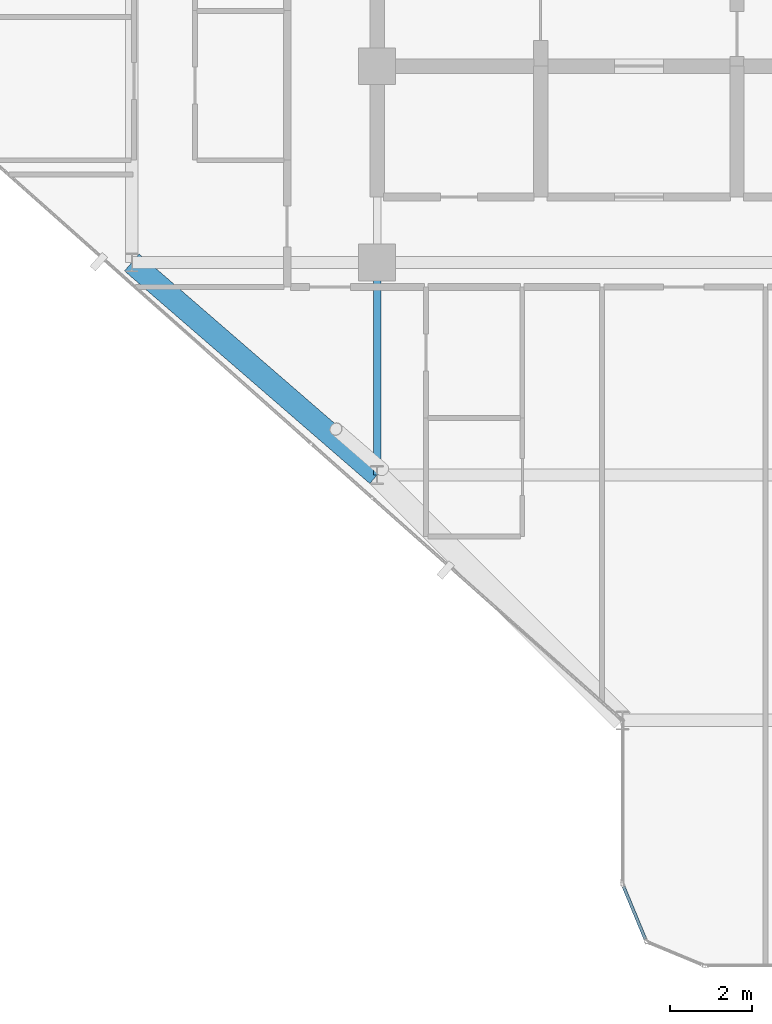
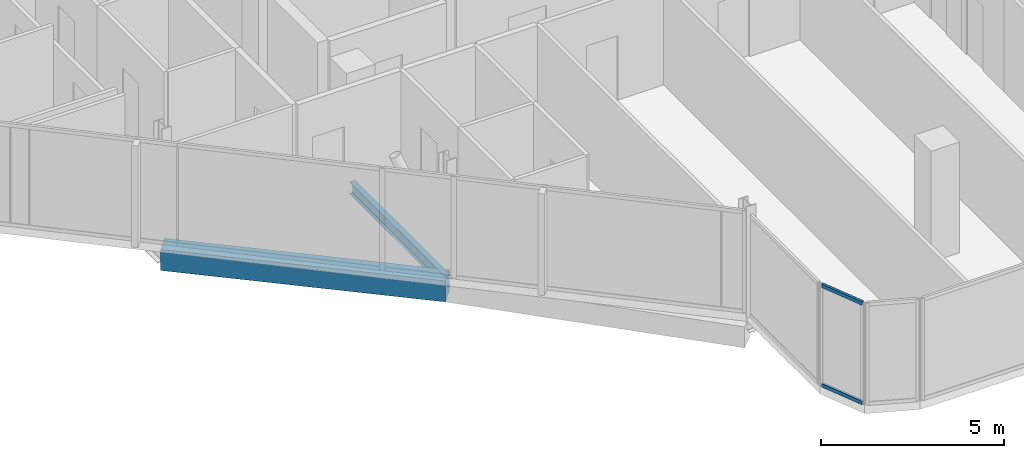
# One storey, part 5 of 29: 2 beams, 2 members, 1 element without a shape of its own.
"""IFC4 building model written with IfcOpenShell, lengths in metres."""

from ifc_helpers import new_model, si_unit, direction, frame, origin, origin_2d, place, context, subcontext, project, spatial, rectangle, hollow_rectangle, i_section, extrude, material, layer, layer_set, material_profile, profile_set, type_object, element, aggregate, save


model = new_model("IFC4")

# Units and contexts
model_context = context("Model", 3, precision=1e-05, world=origin(), true_north=direction((0.0, 1.0)))
body_context = subcontext(model_context, "Body", "Model", "MODEL_VIEW")
ifc_project = project(units=[si_unit("LENGTHUNIT", "METRE"), si_unit("AREAUNIT", "SQUARE_METRE"), si_unit("VOLUMEUNIT", "CUBIC_METRE"), si_unit("PLANEANGLEUNIT", "RADIAN"), si_unit("MASSUNIT", "GRAM", prefix="KILO")], contexts=[model_context])

# Site, building, storey
site_placement = place(None, origin())
site = spatial("IfcSite", under=ifc_project, at=site_placement, CompositionType="ELEMENT")
building_placement = place(site_placement, origin())
building = spatial("IfcBuilding", under=site, at=building_placement, Name="Keshet Zoharim Tower", CompositionType="ELEMENT")
storey_placement = place(building_placement, frame((0.0, 0.0, 195.800048828125)))
storey = spatial("IfcBuildingStorey", under=building, at=storey_placement, Name="L48", CompositionType="ELEMENT", Elevation=195.800048828125)

# Beams
ifc_material_1 = material(Name="Steel S355", Category="steel")
ifc_material_profile_1 = material_profile(ifc_material_1, i_section(OverallWidth=0.179931640625, OverallDepth=0.39990234375, WebThickness=0.008544921875, FlangeThickness=0.013427734375, FilletRadius=0.02099609375, at=origin_2d()), Name="IPE400")
ifc_profile_set_1 = profile_set([ifc_material_profile_1], Name="Steel S355")
beam_type_1 = type_object("IfcBeamType", Name="BM-PRI-IP400", PredefinedType="BEAM", material=ifc_profile_set_1)
beam_1_placement = place(storey_placement, frame((15.0, 12.699951171875, -0.510009765625), z_axis=(0.0, 1.0, 0.0), x_axis=(-1.0, 0.0, 0.0)))
element("IfcBeam", 1, at=beam_1_placement, inside=storey, type_object=beam_type_1, Name="L48 Primary Girder Y-002", PredefinedType="BEAM", context=body_context, shape_type="SweptSolid", body=[
    extrude(i_section(OverallWidth=0.179931640625, OverallDepth=0.39990234375, WebThickness=0.008544921875, FlangeThickness=0.013427734375, FilletRadius=0.02099609375, at=origin_2d()), origin(), (0.0, 0.0, 1.0), 5.199951171875),
])
ifc_material_2 = material(Name="Concrete C50/60", Category="concrete")
ifc_material_profile_2 = material_profile(ifc_material_2, rectangle(XDim=0.550048828125, YDim=0.699951171875, at=origin_2d()), Name="RC700x550")
ifc_profile_set_2 = profile_set([ifc_material_profile_2], Name="Concrete C50/60")
beam_type_2 = type_object("IfcBeamType", Name="BM-SPN-700", PredefinedType="SPANDREL", material=ifc_profile_set_2)
beam_2_placement = place(storey_placement, frame((9.0, 17.89990234375, -0.66015625), z_axis=(0.755692126483, -0.654927026447, 0.0), x_axis=(0.654927026447, 0.755692126483, 0.0)))
element("IfcBeam", 2, at=beam_2_placement, inside=storey, type_object=beam_type_2, Name="L48 Perimeter Spandrel Beam 02", PredefinedType="SPANDREL", context=body_context, shape_type="SweptSolid", body=[
    extrude(rectangle(XDim=0.550048828125, YDim=0.699951171875, at=origin_2d()), origin(), (0.0, 0.0, 1.0), 7.939697265625),
])

# Curtain wall, members
ifc_material_3 = material(Name="Aluminium 6063-T6", Category="aluminium")
ifc_layer = layer(ifc_material_3, 0.139892578125)
ifc_layer_set = layer_set([ifc_layer], Name="Aluminium 6063-T6")
curtain_wall_type = type_object("IfcCurtainWallType", Name="CW-SYS-05", PredefinedType="NOTDEFINED", material=ifc_layer_set)
curtain_wall_placement = place(storey_placement, origin())
curtain_wall = element("IfcCurtainWall", 3, at=curtain_wall_placement, inside=storey, type_object=curtain_wall_type, Name="L48 Unitised Curtain Wall 08", PredefinedType="NOTDEFINED")
ifc_material_profile_3 = material_profile(ifc_material_3, hollow_rectangle(XDim=0.074951171875, YDim=0.1201171875, WallThickness=0.00390625, at=origin_2d()), Name="TRN-75x120")
ifc_profile_set_3 = profile_set([ifc_material_profile_3], Name="Aluminium 6063-T6")
member_type = type_object("IfcMemberType", Name="CWT-T12", PredefinedType="USERDEFINED", material=ifc_profile_set_3)
member_1_placement = place(storey_placement, frame((21.55908203125, 1.3505859375, 0.034912109375), z_axis=(-0.382744609247, 0.923854189844, 0.0), x_axis=(-0.923854189844, -0.382744609247, 0.0)))
member_1 = element("IfcMember", 4, at=member_1_placement, type_object=member_type, Name="CW-05 transom 1.1", ObjectType="TRANSOM", PredefinedType="USERDEFINED", context=body_context, shape_type="SweptSolid", body=[
    extrude(hollow_rectangle(XDim=0.074951171875, YDim=0.1201171875, WallThickness=0.00390625, at=origin_2d()), origin(), (0.0, 0.0, 1.0), 1.390625),
])
member_2_placement = place(storey_placement, frame((21.55908203125, 1.3505859375, 3.35498046875), z_axis=(-0.382744609247, 0.923854189844, 0.0), x_axis=(-0.923854189844, -0.382744609247, 0.0)))
member_2 = element("IfcMember", 5, at=member_2_placement, type_object=member_type, Name="CW-05 transom 1.2", ObjectType="TRANSOM", PredefinedType="USERDEFINED", context=body_context, shape_type="SweptSolid", body=[
    extrude(hollow_rectangle(XDim=0.074951171875, YDim=0.1201171875, WallThickness=0.00390625, at=origin_2d()), origin(), (0.0, 0.0, 1.0), 1.390625),
])
aggregate(curtain_wall, [member_1, member_2])

save(model, "model.ifc")
